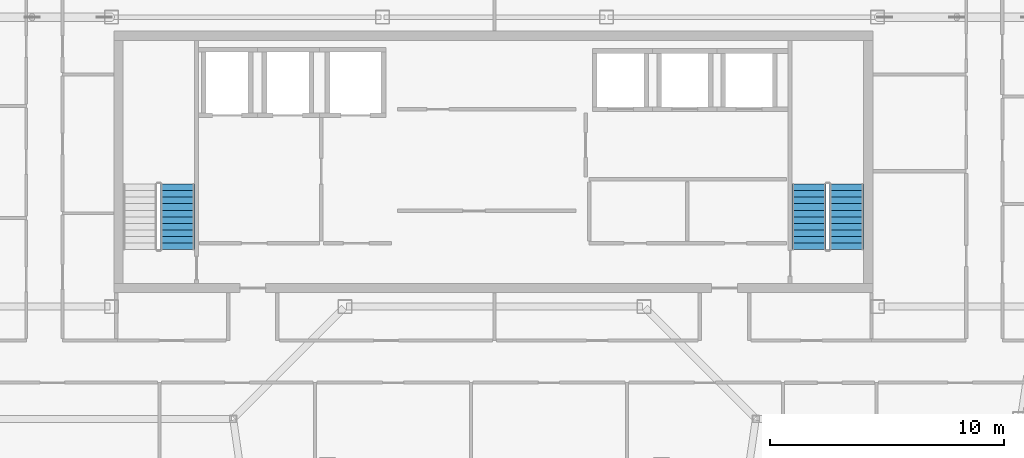
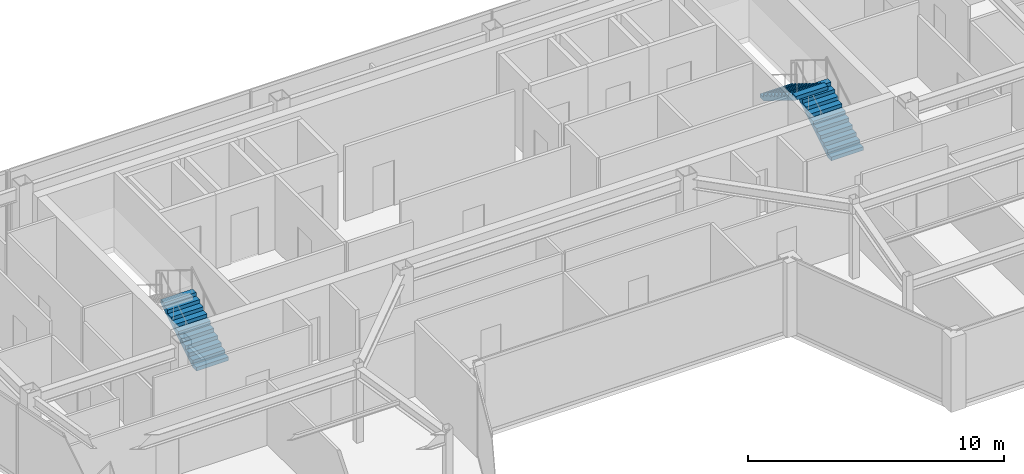
# One storey, part 21 of 23: 3 stair flights, 2 elements without a shape of their own.
"""IFC4 building model written with IfcOpenShell, lengths in metres."""

import ifcopenshell
import ifcopenshell.guid

model = None  # the IFC model being written
_history = None  # IfcOwnerHistory: only IFC2X3 demands one
_inside = {}  # id of a spatial element -> (the spatial element, [elements in it])
_under = {}  # id of a project, library or spatial element -> (it, [spatial elements below it])
_declared = {}  # id of a project -> (the project, [libraries it declares])
_typed = {}  # id of a type object -> (the type object, [elements of that type])
_made_of = {}  # id of a material, layer set ... -> (it, [elements and type objects made of it])


def new_model(schema):
    """Start an empty IFC model of exactly this schema.

    Asked for "IFC4X3", IfcOpenShell would pick the latest addendum, in which some entities
    have other attributes; the version numbers below select the first issue.
    IFC2X3 requires an IfcOwnerHistory on every rooted entity: one is made here for all.
    """
    global model, _history
    if schema == "IFC4X3":
        model = ifcopenshell.file(schema_version=(4, 3, 0, 0))
    else:
        model = ifcopenshell.file(schema=schema)
    _inside.clear()
    _under.clear()
    _declared.clear()
    _typed.clear()
    _made_of.clear()
    _history = None
    if model.schema == "IFC2X3":
        org = make("IfcOrganization", Name="unknown")
        user = make(
            "IfcPersonAndOrganization",
            ThePerson=make("IfcPerson", FamilyName="unknown"),
            TheOrganization=org,
        )
        app = make(
            "IfcApplication",
            ApplicationDeveloper=org,
            Version="unknown",
            ApplicationFullName="unknown",
            ApplicationIdentifier="unknown",
        )
        _history = make(
            "IfcOwnerHistory",
            OwningUser=user,
            OwningApplication=app,
            ChangeAction="ADDED",
            CreationDate=0,
        )
    return model


def make(cls, **values):
    """One entity of the class cls with the attributes given. An attribute that is None is left unset."""
    return model.create_entity(
        cls, **{name: value for name, value in values.items() if value is not None}
    )


def rooted(cls, **values):
    """An entity with a GlobalId (a new one), such as an element, a storey or a relation."""
    return make(cls, GlobalId=ifcopenshell.guid.new(), OwnerHistory=_history, **values)


def si_unit(unit_type, name, prefix=None):
    """IfcSIUnit, for example si_unit("LENGTHUNIT", "METRE", prefix="MILLI")."""
    return make("IfcSIUnit", UnitType=unit_type, Prefix=prefix, Name=name)


def assignment(units):
    """IfcUnitAssignment: the units of a project."""
    return None if units is None else make("IfcUnitAssignment", Units=units)


def point(xyz):
    """IfcCartesianPoint."""
    return None if xyz is None else make("IfcCartesianPoint", Coordinates=xyz)


def direction(xyz):
    """IfcDirection."""
    return None if xyz is None else make("IfcDirection", DirectionRatios=xyz)


def frame(location, z_axis=None, x_axis=None):
    """IfcAxis2Placement3D, a coordinate frame: its origin and axes. An axis left out is left unset."""
    return make(
        "IfcAxis2Placement3D",
        Location=point(location),
        Axis=direction(z_axis),
        RefDirection=direction(x_axis),
    )


def origin():
    """The frame at (0, 0, 0) with its axes left unset."""
    return frame((0.0, 0.0, 0.0))


def place(relative_to, where):
    """IfcLocalPlacement: puts the frame where relative to a parent placement (None: the world)."""
    return make(
        "IfcLocalPlacement", PlacementRelTo=relative_to, RelativePlacement=where
    )


def context(
    kind, dimensions, precision=None, world=None, true_north=None, identifier=None
):
    """IfcGeometricRepresentationContext, for example the 3D "Model" context."""
    return make(
        "IfcGeometricRepresentationContext",
        ContextIdentifier=identifier,
        ContextType=kind,
        CoordinateSpaceDimension=dimensions,
        Precision=precision,
        WorldCoordinateSystem=world,
        TrueNorth=true_north,
    )


def subcontext(parent, identifier, kind, view, scale=None):
    """IfcGeometricRepresentationSubContext, for example "Body" below "Model"."""
    return make(
        "IfcGeometricRepresentationSubContext",
        ContextIdentifier=identifier,
        ContextType=kind,
        ParentContext=parent,
        TargetScale=scale,
        TargetView=view,
    )


def project(units=None, contexts=None):
    """IfcProject with its units and contexts."""
    return rooted(
        "IfcProject",
        Name="project",
        RepresentationContexts=contexts,
        UnitsInContext=assignment(units),
    )


def spatial(cls, under=None, at=None, **own):
    """A site, building, storey or space (cls), placed at a placement, below another one or the project."""
    s = rooted(cls, ObjectPlacement=at, **own)
    if under is not None:
        _under.setdefault(under.id(), (under, []))[1].append(s)
    return s


def polyline(points):
    """IfcPolyline through the points."""
    return make("IfcPolyline", Points=[point(p) for p in points])


def outline(outer, holes=None, kind="AREA"):
    """IfcArbitraryClosedProfileDef: a profile drawn as a closed curve; with holes, ...WithVoids."""
    if holes is None:
        return make("IfcArbitraryClosedProfileDef", ProfileType=kind, OuterCurve=outer)
    return make(
        "IfcArbitraryProfileDefWithVoids",
        ProfileType=kind,
        OuterCurve=outer,
        InnerCurves=holes,
    )


def extrude(swept, where, along, depth):
    """IfcExtrudedAreaSolid: the profile swept, set in the frame where, extruded along a direction by depth."""
    return make(
        "IfcExtrudedAreaSolid",
        SweptArea=swept,
        Position=where,
        ExtrudedDirection=direction(along),
        Depth=depth,
    )


def shape(context_of_items, identifier, shape_type, items):
    """IfcShapeRepresentation: the items that make up one representation, for example the "Body"."""
    return make(
        "IfcShapeRepresentation",
        ContextOfItems=context_of_items,
        RepresentationIdentifier=identifier,
        RepresentationType=shape_type,
        Items=items,
    )


def material(Name=None, Category=None):
    """IfcMaterial."""
    return make("IfcMaterial", Name=Name, Category=Category)


def made_of(thing, what):
    """Note that an element or type object is made of a material, layer set ...; save() writes the relation."""
    if what is not None:
        _made_of.setdefault(what.id(), (what, []))[1].append(thing)
    return thing


def type_object(cls, material=None, **own):
    """A type object (cls), such as IfcWallType, which elements share."""
    return made_of(rooted(cls, **own), material)


def element(
    cls,
    number,
    at=None,
    inside=None,
    cuts=None,
    type_object=None,
    material=None,
    context=None,
    identifier="Body",
    shape_type=None,
    held_by="IfcProductDefinitionShape",
    body=None,
    shapes=None,
    **own,
):
    """One element of the class cls, such as IfcWall. Its Tag is "e" and its number.

    at: its placement. inside: the storey or other place that contains it. cuts: it is an
    opening in that element (IfcRelVoidsElement). A single representation is given by context,
    identifier, shape_type and body (its items); several are given by shapes. held_by: the class
    of the entity that holds the representations. save() writes the other relations.
    """
    e = rooted(cls, Tag="e%d" % number, ObjectPlacement=at, **own)
    if body is not None:
        shapes = [shape(context, identifier, shape_type, body)]
    if shapes is not None:
        e.Representation = make(held_by, Representations=shapes)
    if inside is not None:
        _inside.setdefault(inside.id(), (inside, []))[1].append(e)
    if cuts is not None:
        rooted(
            "IfcRelVoidsElement", RelatingBuildingElement=cuts, RelatedOpeningElement=e
        )
    if type_object is not None:
        _typed.setdefault(type_object.id(), (type_object, []))[1].append(e)
    return made_of(e, material)


def aggregate(whole, parts):
    """IfcRelAggregates: a whole, such as a stair, and the parts it consists of."""
    return rooted("IfcRelAggregates", RelatingObject=whole, RelatedObjects=parts)


def save(model, path):
    """Write the relations noted so far, then the file.

    IfcRelAggregates (storeys below a building ...), IfcRelContainedInSpatialStructure (elements
    in a storey), IfcRelDefinesByType, IfcRelAssociatesMaterial and IfcRelDeclares: one each for
    every whole, place, type object, material and project.
    """
    for whole, parts in _under.values():
        aggregate(whole, parts)
    for where, things in _inside.values():
        rooted(
            "IfcRelContainedInSpatialStructure",
            RelatedElements=things,
            RelatingStructure=where,
        )
    for kind, things in _typed.values():
        rooted("IfcRelDefinesByType", RelatedObjects=things, RelatingType=kind)
    for what, things in _made_of.values():
        rooted("IfcRelAssociatesMaterial", RelatedObjects=things, RelatingMaterial=what)
    for by, libraries in _declared.values():
        rooted("IfcRelDeclares", RelatingContext=by, RelatedDefinitions=libraries)
    model.write(path)


model = new_model("IFC4")

# Units and contexts
model_context = context("Model", 3, precision=1e-05, world=origin(), true_north=direction((0.0, 1.0)))
body_context = subcontext(model_context, "Body", "Model", "MODEL_VIEW")
ifc_project = project(units=[si_unit("LENGTHUNIT", "METRE"), si_unit("AREAUNIT", "SQUARE_METRE"), si_unit("VOLUMEUNIT", "CUBIC_METRE"), si_unit("PLANEANGLEUNIT", "RADIAN"), si_unit("MASSUNIT", "GRAM", prefix="KILO")], contexts=[model_context])

# Site, building, storey
site_placement = place(None, origin())
site = spatial("IfcSite", under=ifc_project, at=site_placement, CompositionType="ELEMENT")
building_placement = place(site_placement, origin())
building = spatial("IfcBuilding", under=site, at=building_placement, Name="Saevonmaru Cultural Tower", CompositionType="ELEMENT")
storey_placement = place(building_placement, frame((0.0, 0.0, 283.800048828125)))
storey = spatial("IfcBuildingStorey", under=building, at=storey_placement, Name="L67", CompositionType="ELEMENT", Elevation=283.800048828125)

# Stair, stair flight
ifc_material_1 = material(Name="Concrete C40/50", Category="concrete")
stair_type = type_object("IfcStairType", Name="STR-DOGLEG-RC", PredefinedType="HALF_TURN_STAIR", material=ifc_material_1)
stair_1_placement = place(storey_placement, origin())
stair_1 = element("IfcStair", 1, at=stair_1_placement, inside=storey, type_object=stair_type, Name="L67 Protected exit stair ST-1", PredefinedType="HALF_TURN_STAIR")
ifc_material_2 = material(Name="Precast concrete C40/50", Category="concrete")
stair_flight_type = type_object("IfcStairFlightType", Name="STF-PRECAST-180", PredefinedType="STRAIGHT", material=ifc_material_2)
stair_flight_1_placement = place(storey_placement, frame((16.425048828125, 44.85009765625, 0.0), z_axis=(0.0, 0.0, 1.0), x_axis=(0.0, 1.0, 0.0)))
stair_flight_1 = element("IfcStairFlight", 2, at=stair_flight_1_placement, type_object=stair_flight_type, Name="ST-1-L67 flight 1", NumberOfRisers=11, NumberOfTreads=10, PredefinedType="STRAIGHT", RiserHeight=0.172727273, TreadLength=0.28, context=body_context, shape_type="SweptSolid", body=[
    extrude(outline(polyline([(0.0, 0.0), (0.0, 0.172607421875), (0.280029296875, 0.172607421875), (0.280029296875, 0.345458984375), (0.56005859375, 0.345458984375), (0.56005859375, 0.51806640625), (0.840087890625, 0.51806640625), (0.840087890625, 0.69091796875), (1.1201171875, 0.69091796875), (1.1201171875, 0.863525390625), (1.39990234375, 0.863525390625), (1.39990234375, 1.036376953125), (1.679931640625, 1.036376953125), (1.679931640625, 1.208984375), (1.9599609375, 1.208984375), (1.9599609375, 1.3818359375), (2.239990234375, 1.3818359375), (2.239990234375, 1.554443359375), (2.52001953125, 1.554443359375), (2.52001953125, 1.727294921875), (2.800048828125, 1.727294921875), (2.800048828125, 1.89990234375), (2.800048828125, 1.551025390625), (0.285400390625, 0.0), (0.0, 0.0)])), frame((0.0, 0.72509765625, 0.0), z_axis=(0.0, -1.0, 0.0), x_axis=(1.0, 0.0, 0.0)), (0.0, 0.0, 1.0), 1.449951171875),
])
aggregate(stair_1, [stair_flight_1])

# Stair, stair flights
stair_2_placement = place(storey_placement, origin())
stair_2 = element("IfcStair", 3, at=stair_2_placement, inside=storey, type_object=stair_type, Name="L67 Protected exit stair ST-2", PredefinedType="HALF_TURN_STAIR")
stair_flight_2_placement = place(storey_placement, frame((45.074951171875, 44.85009765625, 0.0), z_axis=(0.0, 0.0, 1.0), x_axis=(0.0, 1.0, 0.0)))
stair_flight_2 = element("IfcStairFlight", 4, at=stair_flight_2_placement, type_object=stair_flight_type, Name="ST-2-L67 flight 1", NumberOfRisers=11, NumberOfTreads=10, PredefinedType="STRAIGHT", RiserHeight=0.172727273, TreadLength=0.28, context=body_context, shape_type="SweptSolid", body=[
    extrude(outline(polyline([(0.0, 0.0), (0.0, 0.172607421875), (0.280029296875, 0.172607421875), (0.280029296875, 0.345458984375), (0.56005859375, 0.345458984375), (0.56005859375, 0.51806640625), (0.840087890625, 0.51806640625), (0.840087890625, 0.69091796875), (1.1201171875, 0.69091796875), (1.1201171875, 0.863525390625), (1.39990234375, 0.863525390625), (1.39990234375, 1.036376953125), (1.679931640625, 1.036376953125), (1.679931640625, 1.208984375), (1.9599609375, 1.208984375), (1.9599609375, 1.3818359375), (2.239990234375, 1.3818359375), (2.239990234375, 1.554443359375), (2.52001953125, 1.554443359375), (2.52001953125, 1.727294921875), (2.800048828125, 1.727294921875), (2.800048828125, 1.89990234375), (2.800048828125, 1.551025390625), (0.285400390625, 0.0), (0.0, 0.0)])), frame((0.0, 0.72509765625, 0.0), z_axis=(0.0, -1.0, 0.0), x_axis=(1.0, 0.0, 0.0)), (0.0, 0.0, 1.0), 1.449951171875),
])
stair_flight_3_placement = place(storey_placement, frame((43.47509765625, 47.64990234375, 1.89990234375), z_axis=(0.0, 0.0, 1.0), x_axis=(0.0, -1.0, 0.0)))
stair_flight_3 = element("IfcStairFlight", 5, at=stair_flight_3_placement, type_object=stair_flight_type, Name="ST-2-L67 flight 2", NumberOfRisers=11, NumberOfTreads=10, PredefinedType="STRAIGHT", RiserHeight=0.172727273, TreadLength=0.28, context=body_context, shape_type="SweptSolid", body=[
    extrude(outline(polyline([(0.0, 0.0), (0.0, 0.172607421875), (0.280029296875, 0.172607421875), (0.280029296875, 0.345458984375), (0.56005859375, 0.345458984375), (0.56005859375, 0.51806640625), (0.840087890625, 0.51806640625), (0.840087890625, 0.69091796875), (1.1201171875, 0.69091796875), (1.1201171875, 0.863525390625), (1.39990234375, 0.863525390625), (1.39990234375, 1.036376953125), (1.679931640625, 1.036376953125), (1.679931640625, 1.208984375), (1.9599609375, 1.208984375), (1.9599609375, 1.3818359375), (2.239990234375, 1.3818359375), (2.239990234375, 1.554443359375), (2.52001953125, 1.554443359375), (2.52001953125, 1.727294921875), (2.800048828125, 1.727294921875), (2.800048828125, 1.89990234375), (2.800048828125, 1.551025390625), (0.285400390625, 0.0), (0.0, 0.0)])), frame((0.0, 0.72509765625, 0.0), z_axis=(0.0, -1.0, 0.0), x_axis=(1.0, 0.0, 0.0)), (0.0, 0.0, 1.0), 1.449951171875),
])
aggregate(stair_2, [stair_flight_2, stair_flight_3])

save(model, "model.ifc")
